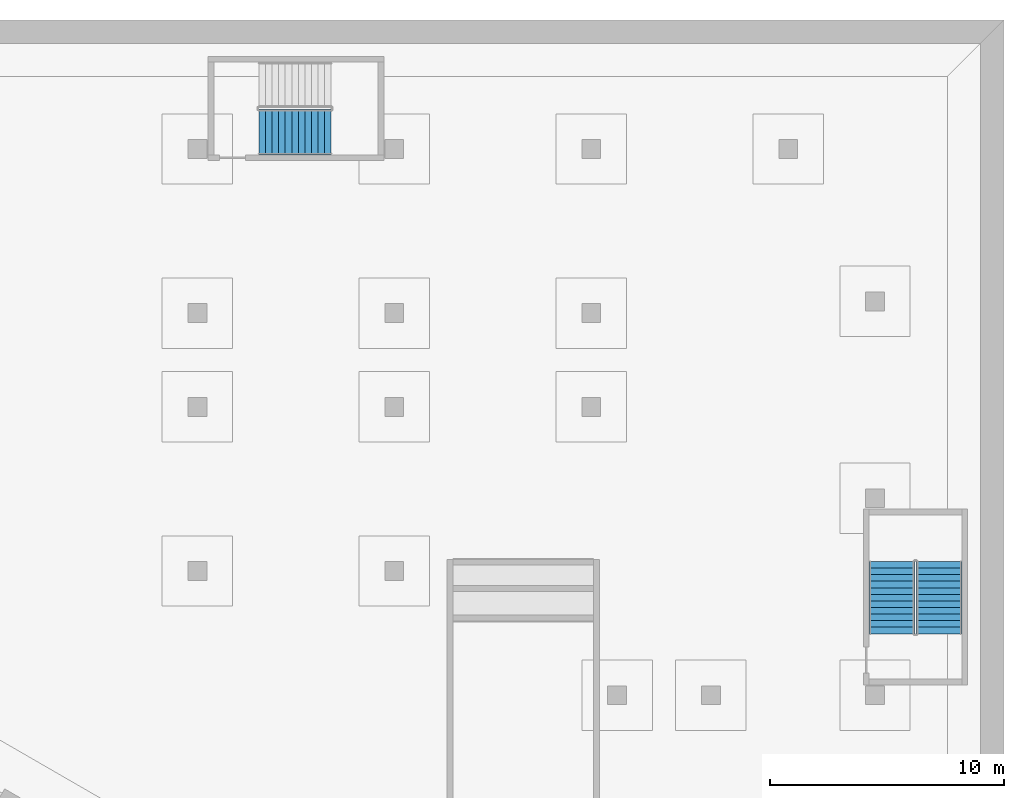
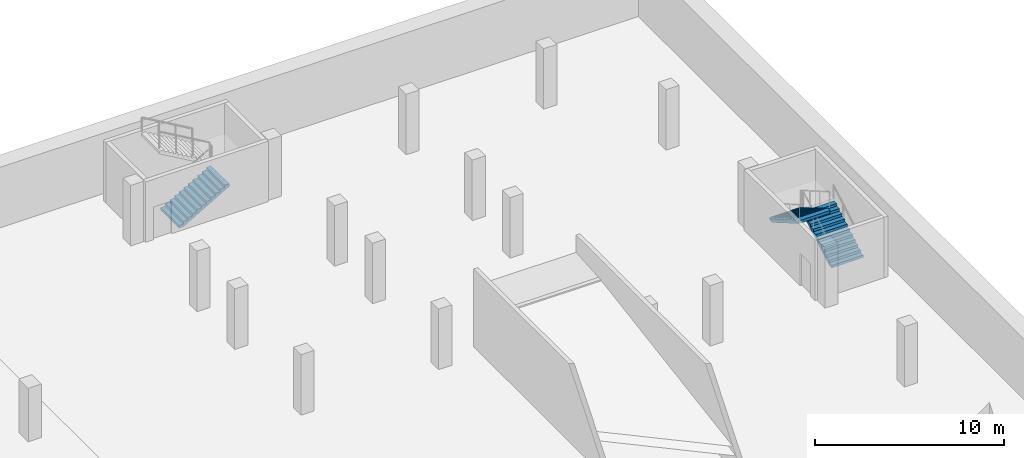
# One storey, part 18 of 27: 3 stair flights, 2 elements without a shape of their own.
"""IFC4 building model written with IfcOpenShell, lengths in metres."""

from ifc_helpers import new_model, si_unit, direction, frame, origin, place, context, subcontext, project, spatial, triangles, material, type_object, element, aggregate, save


model = new_model("IFC4")

# Units and contexts
model_context = context("Model", 3, precision=1e-05, world=origin(), true_north=direction((0.0, 1.0)))
body_context = subcontext(model_context, "Body", "Model", "MODEL_VIEW")
ifc_project = project(units=[si_unit("LENGTHUNIT", "METRE"), si_unit("AREAUNIT", "SQUARE_METRE"), si_unit("VOLUMEUNIT", "CUBIC_METRE"), si_unit("PLANEANGLEUNIT", "RADIAN"), si_unit("MASSUNIT", "GRAM", prefix="KILO")], contexts=[model_context])

# Site, building, storey
site_placement = place(None, origin())
site = spatial("IfcSite", under=ifc_project, at=site_placement, CompositionType="ELEMENT")
building_placement = place(site_placement, origin())
building = spatial("IfcBuilding", under=site, at=building_placement, Name="Verdalira Terraces Hotel", CompositionType="ELEMENT")
storey_placement = place(building_placement, frame((0.0, 0.0, -11.699951)))
storey = spatial("IfcBuildingStorey", under=building, at=storey_placement, Name="B3", CompositionType="ELEMENT", Elevation=-11.699951171875)

# Stair, stair flight
ifc_material_1 = material(Name="Concrete C40", Category="concrete")
stair_type = type_object("IfcStairType", Name="Car park stair 24 risers", PredefinedType="HALF_TURN_STAIR", material=ifc_material_1)
stair_1_placement = place(storey_placement, origin())
stair_1 = element("IfcStair", 1, at=stair_1_placement, inside=storey, type_object=stair_type, Name="B3 Exit stair Basement stair 3", PredefinedType="HALF_TURN_STAIR")
ifc_material_2 = material(Name="Concrete C40", Category="concrete")
stair_flight_type = type_object("IfcStairFlightType", Name="Car park stair flight 24 risers", PredefinedType="STRAIGHT", material=ifc_material_2)
stair_flight_1_placement = place(storey_placement, frame((22.225098, 49.212402, 0.0), z_axis=(0.0, 0.0, 1.0), x_axis=(1.0, 0.0, 0.0)))
stair_flight_1 = element("IfcStairFlight", 2, at=stair_flight_1_placement, type_object=stair_flight_type, Name="Basement stair 3 flight 1", NumberOfRisers=12, NumberOfTreads=11, PredefinedType="STRAIGHT", RiserHeight=0.1625, TreadLength=0.28, context=body_context, shape_type="Tessellation", body=[
    triangles([(0.0, 0.962524, 0.0), (0.298584, 0.962524, 0.0), (3.080078, 0.962524, 1.614258), (0.0, -0.962524, 0.0), (0.298584, -0.962524, 0.0), (3.080078, -0.962524, 1.614258), (3.080078, 0.962524, 1.787598), (2.800049, 0.962524, 1.787598), (3.080078, -0.962524, 1.787598), (2.800049, -0.962524, 1.787598), (2.800049, 0.962524, 1.625), (2.800049, -0.962524, 1.625), (2.52002, 0.962524, 1.625), (2.52002, -0.962524, 1.625), (2.52002, 0.962524, 1.462402), (2.52002, -0.962524, 1.462402), (2.23999, 0.962524, 1.462402), (2.23999, 0.962524, 1.300049), (2.23999, -0.962524, 1.462402), (2.23999, -0.962524, 1.300049), (1.959961, 0.962524, 1.300049), (1.959961, 0.962524, 1.137451), (1.959961, -0.962524, 1.300049), (1.959961, -0.962524, 1.137451), (1.679932, 0.962524, 1.137451), (1.679932, 0.962524, 0.975098), (1.679932, -0.962524, 1.137451), (1.679932, -0.962524, 0.975098), (1.399902, 0.962524, 0.975098), (1.399902, 0.962524, 0.8125), (1.399902, -0.962524, 0.975098), (1.399902, -0.962524, 0.8125), (1.120117, 0.962524, 0.8125), (1.120117, 0.962524, 0.649902), (1.120117, -0.962524, 0.8125), (1.120117, -0.962524, 0.649902), (0.840088, 0.962524, 0.649902), (0.840088, 0.962524, 0.487549), (0.840088, -0.962524, 0.649902), (0.840088, -0.962524, 0.487549), (0.560059, 0.962524, 0.487549), (0.560059, 0.962524, 0.324951), (0.560059, -0.962524, 0.487549), (0.560059, -0.962524, 0.324951), (0.280029, 0.962524, 0.324951), (0.280029, 0.962524, 0.162598), (0.280029, -0.962524, 0.324951), (0.280029, -0.962524, 0.162598), (0.0, 0.962524, 0.162598), (0.0, -0.962524, 0.162598), (0.0, -0.902367, 0.0), (0.0, -0.902367, 0.162598), (0.0, -0.842209, 0.0), (0.0, -0.842209, 0.162598), (0.0, -0.782051, 0.0), (0.0, -0.782051, 0.162598), (0.0, -0.721893, 0.0), (0.0, -0.721893, 0.162598), (0.0, -0.661736, 0.0), (0.0, -0.661736, 0.162598), (0.0, -0.601578, 0.0), (0.0, -0.601578, 0.162598), (0.0, -0.54142, 0.0), (0.0, -0.54142, 0.162598), (0.0, -0.481262, 0.0), (0.0, -0.481262, 0.162598), (0.0, -0.421104, 0.0), (0.0, -0.421104, 0.162598), (0.0, -0.360947, 0.0), (0.0, -0.360947, 0.162598), (0.0, -0.300789, 0.0), (0.0, -0.300789, 0.162598), (0.0, -0.240631, 0.0), (0.0, -0.240631, 0.162598), (0.0, -0.180473, 0.0), (0.0, -0.180473, 0.162598), (0.0, -0.120316, 0.0), (0.0, -0.120316, 0.162598), (0.0, -0.060158, 0.0), (0.0, -0.060158, 0.162598), (0.0, 0.0, 0.0), (0.0, 0.0, 0.162598), (0.0, 0.060158, 0.0), (0.0, 0.060158, 0.162598), (0.0, 0.120316, 0.0), (0.0, 0.120316, 0.162598), (0.0, 0.180473, 0.0), (0.0, 0.180473, 0.162598), (0.0, 0.240631, 0.0), (0.0, 0.240631, 0.162598), (0.0, 0.300789, 0.0), (0.0, 0.300789, 0.162598), (0.0, 0.360947, 0.0), (0.0, 0.360947, 0.162598), (0.0, 0.421104, 0.0), (0.0, 0.421104, 0.162598), (0.0, 0.481262, 0.0), (0.0, 0.481262, 0.162598), (0.0, 0.54142, 0.0), (0.0, 0.54142, 0.162598), (0.0, 0.601578, 0.0), (0.0, 0.601578, 0.162598), (0.0, 0.661736, 0.0), (0.0, 0.661736, 0.162598), (0.0, 0.721893, 0.0), (0.0, 0.721893, 0.162598), (0.0, 0.782051, 0.0), (0.0, 0.782051, 0.162598), (0.0, 0.842209, 0.0), (0.0, 0.842209, 0.162598), (0.0, 0.902367, 0.0), (0.0, 0.902367, 0.162598), (3.080078, -0.902367, 1.787598), (3.080078, -0.842209, 1.787598), (3.080078, -0.782051, 1.787598), (3.080078, -0.721893, 1.787598), (3.080078, -0.661736, 1.787598), (3.080078, -0.601578, 1.787598), (3.080078, -0.54142, 1.787598), (3.080078, -0.481262, 1.787598), (3.080078, -0.421104, 1.787598), (3.080078, -0.360947, 1.787598), (3.080078, -0.300789, 1.787598), (3.080078, -0.240631, 1.787598), (3.080078, -0.180473, 1.787598), (3.080078, -0.120316, 1.787598), (3.080078, -0.060158, 1.787598), (3.080078, 0.0, 1.787598), (3.080078, 0.060158, 1.787598), (3.080078, 0.120316, 1.787598), (3.080078, 0.180473, 1.787598), (3.080078, 0.240631, 1.787598), (3.080078, 0.300789, 1.787598), (3.080078, 0.360947, 1.787598), (3.080078, 0.421104, 1.787598), (3.080078, 0.481262, 1.787598), (3.080078, 0.54142, 1.787598), (3.080078, 0.601578, 1.787598), (3.080078, 0.661736, 1.787598), (3.080078, 0.721893, 1.787598), (3.080078, 0.782051, 1.787598), (3.080078, 0.842209, 1.787598), (3.080078, 0.902367, 1.787598), (3.080078, -0.902367, 1.614258), (3.080078, -0.842209, 1.614258), (3.080078, -0.782051, 1.614258), (3.080078, -0.721893, 1.614258), (3.080078, -0.661736, 1.614258), (3.080078, -0.601578, 1.614258), (3.080078, -0.54142, 1.614258), (3.080078, -0.481262, 1.614258), (3.080078, -0.421104, 1.614258), (3.080078, -0.360947, 1.614258), (3.080078, -0.300789, 1.614258), (3.080078, -0.240631, 1.614258), (3.080078, -0.180473, 1.614258), (3.080078, -0.120316, 1.614258), (3.080078, -0.060158, 1.614258), (3.080078, 0.0, 1.614258), (3.080078, 0.060158, 1.614258), (3.080078, 0.120316, 1.614258), (3.080078, 0.180473, 1.614258), (3.080078, 0.240631, 1.614258), (3.080078, 0.300789, 1.614258), (3.080078, 0.360947, 1.614258), (3.080078, 0.421104, 1.614258), (3.080078, 0.481262, 1.614258), (3.080078, 0.54142, 1.614258), (3.080078, 0.601578, 1.614258), (3.080078, 0.661736, 1.614258), (3.080078, 0.721893, 1.614258), (3.080078, 0.782051, 1.614258), (3.080078, 0.842209, 1.614258), (3.080078, 0.902367, 1.614258)], [[1, 3, 2], [4, 5, 6], [3, 8, 7], [6, 9, 10], [3, 11, 8], [6, 10, 12], [3, 13, 11], [6, 12, 14], [3, 15, 13], [6, 14, 16], [15, 18, 17], [16, 19, 20], [3, 18, 15], [6, 16, 20], [18, 22, 21], [20, 23, 24], [3, 22, 18], [6, 20, 24], [22, 26, 25], [24, 27, 28], [3, 26, 22], [6, 24, 28], [26, 30, 29], [28, 31, 32], [3, 30, 26], [6, 28, 32], [30, 34, 33], [32, 35, 36], [3, 34, 30], [6, 32, 36], [34, 38, 37], [36, 39, 40], [3, 38, 34], [6, 36, 40], [38, 42, 41], [40, 43, 44], [3, 42, 38], [6, 40, 44], [1, 42, 3], [4, 6, 44], [42, 46, 45], [44, 47, 48], [1, 46, 42], [4, 44, 48], [46, 1, 49], [48, 50, 4], [4, 52, 51], [4, 50, 52], [51, 54, 53], [51, 52, 54], [53, 56, 55], [53, 54, 56], [55, 58, 57], [55, 56, 58], [57, 60, 59], [57, 58, 60], [59, 62, 61], [59, 60, 62], [61, 64, 63], [61, 62, 64], [63, 66, 65], [63, 64, 66], [65, 68, 67], [65, 66, 68], [67, 70, 69], [67, 68, 70], [69, 72, 71], [69, 70, 72], [71, 74, 73], [71, 72, 74], [73, 76, 75], [73, 74, 76], [75, 78, 77], [75, 76, 78], [77, 80, 79], [77, 78, 80], [79, 82, 81], [79, 80, 82], [81, 84, 83], [81, 82, 84], [83, 86, 85], [83, 84, 86], [85, 88, 87], [85, 86, 88], [87, 90, 89], [87, 88, 90], [89, 92, 91], [89, 90, 92], [91, 94, 93], [91, 92, 94], [93, 96, 95], [93, 94, 96], [95, 98, 97], [95, 96, 98], [97, 100, 99], [97, 98, 100], [99, 102, 101], [99, 100, 102], [101, 104, 103], [101, 102, 104], [103, 106, 105], [103, 104, 106], [105, 108, 107], [105, 106, 108], [107, 110, 109], [107, 108, 110], [109, 112, 111], [109, 110, 112], [111, 49, 1], [111, 112, 49], [50, 48, 52], [52, 48, 54], [54, 48, 56], [56, 48, 58], [58, 48, 60], [60, 48, 62], [62, 48, 64], [64, 48, 66], [66, 48, 68], [68, 48, 70], [70, 48, 72], [72, 48, 74], [74, 48, 76], [76, 48, 78], [78, 48, 80], [80, 48, 82], [82, 48, 84], [84, 48, 86], [86, 48, 88], [88, 48, 90], [90, 48, 92], [92, 48, 94], [94, 48, 96], [96, 48, 98], [98, 48, 100], [100, 48, 102], [102, 48, 104], [104, 48, 106], [106, 48, 108], [108, 48, 110], [110, 48, 112], [112, 48, 49], [49, 48, 46], [48, 45, 46], [48, 47, 45], [47, 42, 45], [47, 44, 42], [44, 41, 42], [44, 43, 41], [43, 38, 41], [43, 40, 38], [40, 37, 38], [40, 39, 37], [39, 34, 37], [39, 36, 34], [36, 33, 34], [36, 35, 33], [35, 30, 33], [35, 32, 30], [32, 29, 30], [32, 31, 29], [31, 26, 29], [31, 28, 26], [28, 25, 26], [28, 27, 25], [27, 22, 25], [27, 24, 22], [24, 21, 22], [24, 23, 21], [23, 18, 21], [23, 20, 18], [20, 17, 18], [20, 19, 17], [19, 15, 17], [19, 16, 15], [16, 13, 15], [16, 14, 13], [14, 11, 13], [14, 12, 11], [12, 8, 11], [12, 10, 8], [9, 113, 10], [113, 114, 10], [114, 115, 10], [115, 116, 10], [116, 117, 10], [117, 118, 10], [118, 119, 10], [119, 120, 10], [120, 121, 10], [121, 122, 10], [122, 123, 10], [123, 124, 10], [124, 125, 10], [125, 126, 10], [126, 127, 10], [127, 128, 10], [128, 129, 10], [129, 130, 10], [130, 131, 10], [131, 132, 10], [132, 133, 10], [133, 134, 10], [134, 135, 10], [135, 136, 10], [136, 137, 10], [137, 138, 10], [138, 139, 10], [139, 140, 10], [140, 141, 10], [141, 142, 10], [142, 143, 10], [143, 7, 10], [7, 8, 10], [9, 144, 113], [9, 6, 144], [113, 145, 114], [113, 144, 145], [114, 146, 115], [114, 145, 146], [115, 147, 116], [115, 146, 147], [116, 148, 117], [116, 147, 148], [117, 149, 118], [117, 148, 149], [118, 150, 119], [118, 149, 150], [119, 151, 120], [119, 150, 151], [120, 152, 121], [120, 151, 152], [121, 153, 122], [121, 152, 153], [122, 154, 123], [122, 153, 154], [123, 155, 124], [123, 154, 155], [124, 156, 125], [124, 155, 156], [125, 157, 126], [125, 156, 157], [126, 158, 127], [126, 157, 158], [127, 159, 128], [127, 158, 159], [128, 160, 129], [128, 159, 160], [129, 161, 130], [129, 160, 161], [130, 162, 131], [130, 161, 162], [131, 163, 132], [131, 162, 163], [132, 164, 133], [132, 163, 164], [133, 165, 134], [133, 164, 165], [134, 166, 135], [134, 165, 166], [135, 167, 136], [135, 166, 167], [136, 168, 137], [136, 167, 168], [137, 169, 138], [137, 168, 169], [138, 170, 139], [138, 169, 170], [139, 171, 140], [139, 170, 171], [140, 172, 141], [140, 171, 172], [141, 173, 142], [141, 172, 173], [142, 174, 143], [142, 173, 174], [143, 3, 7], [143, 174, 3], [6, 5, 144], [144, 5, 145], [145, 5, 146], [146, 5, 147], [147, 5, 148], [148, 5, 149], [149, 5, 150], [150, 5, 151], [151, 5, 152], [152, 5, 153], [153, 5, 154], [154, 5, 155], [155, 5, 156], [156, 5, 157], [157, 5, 158], [158, 5, 159], [159, 5, 160], [160, 5, 161], [161, 5, 162], [162, 5, 163], [163, 5, 164], [164, 5, 165], [165, 5, 166], [166, 5, 167], [167, 5, 168], [168, 5, 169], [169, 5, 170], [170, 5, 171], [171, 5, 172], [172, 5, 173], [173, 5, 174], [174, 5, 3], [3, 5, 2], [4, 51, 5], [51, 53, 5], [53, 55, 5], [55, 57, 5], [57, 59, 5], [59, 61, 5], [61, 63, 5], [63, 65, 5], [65, 67, 5], [67, 69, 5], [69, 71, 5], [71, 73, 5], [73, 75, 5], [75, 77, 5], [77, 79, 5], [79, 81, 5], [81, 83, 5], [83, 85, 5], [85, 87, 5], [87, 89, 5], [89, 91, 5], [91, 93, 5], [93, 95, 5], [95, 97, 5], [97, 99, 5], [99, 101, 5], [101, 103, 5], [103, 105, 5], [105, 107, 5], [107, 109, 5], [109, 111, 5], [111, 1, 5], [1, 2, 5]], closed=True),
])
aggregate(stair_1, [stair_flight_1])

# Stair, stair flights
stair_2_placement = place(storey_placement, origin())
stair_2 = element("IfcStair", 3, at=stair_2_placement, inside=storey, type_object=stair_type, Name="B3 Exit stair Basement stair 5", PredefinedType="HALF_TURN_STAIR")
stair_flight_2_placement = place(storey_placement, frame((51.237549, 27.824951, 0.0), z_axis=(0.0, 0.0, 1.0), x_axis=(0.0, 1.0, 0.0)))
stair_flight_2 = element("IfcStairFlight", 4, at=stair_flight_2_placement, type_object=stair_flight_type, Name="Basement stair 5 flight 1", NumberOfRisers=12, NumberOfTreads=11, PredefinedType="STRAIGHT", RiserHeight=0.1625, TreadLength=0.28, context=body_context, shape_type="Tessellation", body=[
    triangles([(0.0, 0.962524, 0.0), (0.298584, 0.962524, 0.0), (3.080078, 0.962524, 1.614258), (0.0, -0.962524, 0.0), (0.298584, -0.962524, 0.0), (3.080078, -0.962524, 1.614258), (3.080078, 0.962524, 1.787598), (2.800049, 0.962524, 1.787598), (3.080078, -0.962524, 1.787598), (2.800049, -0.962524, 1.787598), (2.800049, 0.962524, 1.625), (2.800049, -0.962524, 1.625), (2.52002, 0.962524, 1.625), (2.52002, -0.962524, 1.625), (2.52002, 0.962524, 1.462402), (2.52002, -0.962524, 1.462402), (2.23999, 0.962524, 1.462402), (2.23999, 0.962524, 1.300049), (2.23999, -0.962524, 1.462402), (2.23999, -0.962524, 1.300049), (1.959961, 0.962524, 1.300049), (1.959961, 0.962524, 1.137451), (1.959961, -0.962524, 1.300049), (1.959961, -0.962524, 1.137451), (1.679932, 0.962524, 1.137451), (1.679932, 0.962524, 0.975098), (1.679932, -0.962524, 1.137451), (1.679932, -0.962524, 0.975098), (1.399902, 0.962524, 0.975098), (1.399902, 0.962524, 0.8125), (1.399902, -0.962524, 0.975098), (1.399902, -0.962524, 0.8125), (1.120117, 0.962524, 0.8125), (1.120117, 0.962524, 0.649902), (1.120117, -0.962524, 0.8125), (1.120117, -0.962524, 0.649902), (0.840088, 0.962524, 0.649902), (0.840088, 0.962524, 0.487549), (0.840088, -0.962524, 0.649902), (0.840088, -0.962524, 0.487549), (0.560059, 0.962524, 0.487549), (0.560059, 0.962524, 0.324951), (0.560059, -0.962524, 0.487549), (0.560059, -0.962524, 0.324951), (0.280029, 0.962524, 0.324951), (0.280029, 0.962524, 0.162598), (0.280029, -0.962524, 0.324951), (0.280029, -0.962524, 0.162598), (0.0, 0.962524, 0.162598), (0.0, -0.962524, 0.162598), (0.0, -0.902367, 0.0), (0.0, -0.902367, 0.162598), (0.0, -0.842209, 0.0), (0.0, -0.842209, 0.162598), (0.0, -0.782051, 0.0), (0.0, -0.782051, 0.162598), (0.0, -0.721893, 0.0), (0.0, -0.721893, 0.162598), (0.0, -0.661736, 0.0), (0.0, -0.661736, 0.162598), (0.0, -0.601578, 0.0), (0.0, -0.601578, 0.162598), (0.0, -0.54142, 0.0), (0.0, -0.54142, 0.162598), (0.0, -0.481262, 0.0), (0.0, -0.481262, 0.162598), (0.0, -0.421104, 0.0), (0.0, -0.421104, 0.162598), (0.0, -0.360947, 0.0), (0.0, -0.360947, 0.162598), (0.0, -0.300789, 0.0), (0.0, -0.300789, 0.162598), (0.0, -0.240631, 0.0), (0.0, -0.240631, 0.162598), (0.0, -0.180473, 0.0), (0.0, -0.180473, 0.162598), (0.0, -0.120316, 0.0), (0.0, -0.120316, 0.162598), (0.0, -0.060158, 0.0), (0.0, -0.060158, 0.162598), (0.0, 0.0, 0.0), (0.0, 0.0, 0.162598), (0.0, 0.060158, 0.0), (0.0, 0.060158, 0.162598), (0.0, 0.120316, 0.0), (0.0, 0.120316, 0.162598), (0.0, 0.180473, 0.0), (0.0, 0.180473, 0.162598), (0.0, 0.240631, 0.0), (0.0, 0.240631, 0.162598), (0.0, 0.300789, 0.0), (0.0, 0.300789, 0.162598), (0.0, 0.360947, 0.0), (0.0, 0.360947, 0.162598), (0.0, 0.421104, 0.0), (0.0, 0.421104, 0.162598), (0.0, 0.481262, 0.0), (0.0, 0.481262, 0.162598), (0.0, 0.54142, 0.0), (0.0, 0.54142, 0.162598), (0.0, 0.601578, 0.0), (0.0, 0.601578, 0.162598), (0.0, 0.661736, 0.0), (0.0, 0.661736, 0.162598), (0.0, 0.721893, 0.0), (0.0, 0.721893, 0.162598), (0.0, 0.782051, 0.0), (0.0, 0.782051, 0.162598), (0.0, 0.842209, 0.0), (0.0, 0.842209, 0.162598), (0.0, 0.902367, 0.0), (0.0, 0.902367, 0.162598), (3.080078, -0.902367, 1.787598), (3.080078, -0.842209, 1.787598), (3.080078, -0.782051, 1.787598), (3.080078, -0.721893, 1.787598), (3.080078, -0.661736, 1.787598), (3.080078, -0.601578, 1.787598), (3.080078, -0.54142, 1.787598), (3.080078, -0.481262, 1.787598), (3.080078, -0.421104, 1.787598), (3.080078, -0.360947, 1.787598), (3.080078, -0.300789, 1.787598), (3.080078, -0.240631, 1.787598), (3.080078, -0.180473, 1.787598), (3.080078, -0.120316, 1.787598), (3.080078, -0.060158, 1.787598), (3.080078, 0.0, 1.787598), (3.080078, 0.060158, 1.787598), (3.080078, 0.120316, 1.787598), (3.080078, 0.180473, 1.787598), (3.080078, 0.240631, 1.787598), (3.080078, 0.300789, 1.787598), (3.080078, 0.360947, 1.787598), (3.080078, 0.421104, 1.787598), (3.080078, 0.481262, 1.787598), (3.080078, 0.54142, 1.787598), (3.080078, 0.601578, 1.787598), (3.080078, 0.661736, 1.787598), (3.080078, 0.721893, 1.787598), (3.080078, 0.782051, 1.787598), (3.080078, 0.842209, 1.787598), (3.080078, 0.902367, 1.787598), (3.080078, -0.902367, 1.614258), (3.080078, -0.842209, 1.614258), (3.080078, -0.782051, 1.614258), (3.080078, -0.721893, 1.614258), (3.080078, -0.661736, 1.614258), (3.080078, -0.601578, 1.614258), (3.080078, -0.54142, 1.614258), (3.080078, -0.481262, 1.614258), (3.080078, -0.421104, 1.614258), (3.080078, -0.360947, 1.614258), (3.080078, -0.300789, 1.614258), (3.080078, -0.240631, 1.614258), (3.080078, -0.180473, 1.614258), (3.080078, -0.120316, 1.614258), (3.080078, -0.060158, 1.614258), (3.080078, 0.0, 1.614258), (3.080078, 0.060158, 1.614258), (3.080078, 0.120316, 1.614258), (3.080078, 0.180473, 1.614258), (3.080078, 0.240631, 1.614258), (3.080078, 0.300789, 1.614258), (3.080078, 0.360947, 1.614258), (3.080078, 0.421104, 1.614258), (3.080078, 0.481262, 1.614258), (3.080078, 0.54142, 1.614258), (3.080078, 0.601578, 1.614258), (3.080078, 0.661736, 1.614258), (3.080078, 0.721893, 1.614258), (3.080078, 0.782051, 1.614258), (3.080078, 0.842209, 1.614258), (3.080078, 0.902367, 1.614258)], [[1, 3, 2], [4, 5, 6], [3, 8, 7], [6, 9, 10], [3, 11, 8], [6, 10, 12], [3, 13, 11], [6, 12, 14], [3, 15, 13], [6, 14, 16], [15, 18, 17], [16, 19, 20], [3, 18, 15], [6, 16, 20], [18, 22, 21], [20, 23, 24], [3, 22, 18], [6, 20, 24], [22, 26, 25], [24, 27, 28], [3, 26, 22], [6, 24, 28], [26, 30, 29], [28, 31, 32], [3, 30, 26], [6, 28, 32], [30, 34, 33], [32, 35, 36], [3, 34, 30], [6, 32, 36], [34, 38, 37], [36, 39, 40], [3, 38, 34], [6, 36, 40], [38, 42, 41], [40, 43, 44], [3, 42, 38], [6, 40, 44], [1, 42, 3], [4, 6, 44], [42, 46, 45], [44, 47, 48], [1, 46, 42], [4, 44, 48], [46, 1, 49], [48, 50, 4], [4, 52, 51], [4, 50, 52], [51, 54, 53], [51, 52, 54], [53, 56, 55], [53, 54, 56], [55, 58, 57], [55, 56, 58], [57, 60, 59], [57, 58, 60], [59, 62, 61], [59, 60, 62], [61, 64, 63], [61, 62, 64], [63, 66, 65], [63, 64, 66], [65, 68, 67], [65, 66, 68], [67, 70, 69], [67, 68, 70], [69, 72, 71], [69, 70, 72], [71, 74, 73], [71, 72, 74], [73, 76, 75], [73, 74, 76], [75, 78, 77], [75, 76, 78], [77, 80, 79], [77, 78, 80], [79, 82, 81], [79, 80, 82], [81, 84, 83], [81, 82, 84], [83, 86, 85], [83, 84, 86], [85, 88, 87], [85, 86, 88], [87, 90, 89], [87, 88, 90], [89, 92, 91], [89, 90, 92], [91, 94, 93], [91, 92, 94], [93, 96, 95], [93, 94, 96], [95, 98, 97], [95, 96, 98], [97, 100, 99], [97, 98, 100], [99, 102, 101], [99, 100, 102], [101, 104, 103], [101, 102, 104], [103, 106, 105], [103, 104, 106], [105, 108, 107], [105, 106, 108], [107, 110, 109], [107, 108, 110], [109, 112, 111], [109, 110, 112], [111, 49, 1], [111, 112, 49], [50, 48, 52], [52, 48, 54], [54, 48, 56], [56, 48, 58], [58, 48, 60], [60, 48, 62], [62, 48, 64], [64, 48, 66], [66, 48, 68], [68, 48, 70], [70, 48, 72], [72, 48, 74], [74, 48, 76], [76, 48, 78], [78, 48, 80], [80, 48, 82], [82, 48, 84], [84, 48, 86], [86, 48, 88], [88, 48, 90], [90, 48, 92], [92, 48, 94], [94, 48, 96], [96, 48, 98], [98, 48, 100], [100, 48, 102], [102, 48, 104], [104, 48, 106], [106, 48, 108], [108, 48, 110], [110, 48, 112], [112, 48, 49], [49, 48, 46], [48, 45, 46], [48, 47, 45], [47, 42, 45], [47, 44, 42], [44, 41, 42], [44, 43, 41], [43, 38, 41], [43, 40, 38], [40, 37, 38], [40, 39, 37], [39, 34, 37], [39, 36, 34], [36, 33, 34], [36, 35, 33], [35, 30, 33], [35, 32, 30], [32, 29, 30], [32, 31, 29], [31, 26, 29], [31, 28, 26], [28, 25, 26], [28, 27, 25], [27, 22, 25], [27, 24, 22], [24, 21, 22], [24, 23, 21], [23, 18, 21], [23, 20, 18], [20, 17, 18], [20, 19, 17], [19, 15, 17], [19, 16, 15], [16, 13, 15], [16, 14, 13], [14, 11, 13], [14, 12, 11], [12, 8, 11], [12, 10, 8], [9, 113, 10], [113, 114, 10], [114, 115, 10], [115, 116, 10], [116, 117, 10], [117, 118, 10], [118, 119, 10], [119, 120, 10], [120, 121, 10], [121, 122, 10], [122, 123, 10], [123, 124, 10], [124, 125, 10], [125, 126, 10], [126, 127, 10], [127, 128, 10], [128, 129, 10], [129, 130, 10], [130, 131, 10], [131, 132, 10], [132, 133, 10], [133, 134, 10], [134, 135, 10], [135, 136, 10], [136, 137, 10], [137, 138, 10], [138, 139, 10], [139, 140, 10], [140, 141, 10], [141, 142, 10], [142, 143, 10], [143, 7, 10], [7, 8, 10], [9, 144, 113], [9, 6, 144], [113, 145, 114], [113, 144, 145], [114, 146, 115], [114, 145, 146], [115, 147, 116], [115, 146, 147], [116, 148, 117], [116, 147, 148], [117, 149, 118], [117, 148, 149], [118, 150, 119], [118, 149, 150], [119, 151, 120], [119, 150, 151], [120, 152, 121], [120, 151, 152], [121, 153, 122], [121, 152, 153], [122, 154, 123], [122, 153, 154], [123, 155, 124], [123, 154, 155], [124, 156, 125], [124, 155, 156], [125, 157, 126], [125, 156, 157], [126, 158, 127], [126, 157, 158], [127, 159, 128], [127, 158, 159], [128, 160, 129], [128, 159, 160], [129, 161, 130], [129, 160, 161], [130, 162, 131], [130, 161, 162], [131, 163, 132], [131, 162, 163], [132, 164, 133], [132, 163, 164], [133, 165, 134], [133, 164, 165], [134, 166, 135], [134, 165, 166], [135, 167, 136], [135, 166, 167], [136, 168, 137], [136, 167, 168], [137, 169, 138], [137, 168, 169], [138, 170, 139], [138, 169, 170], [139, 171, 140], [139, 170, 171], [140, 172, 141], [140, 171, 172], [141, 173, 142], [141, 172, 173], [142, 174, 143], [142, 173, 174], [143, 3, 7], [143, 174, 3], [6, 5, 144], [144, 5, 145], [145, 5, 146], [146, 5, 147], [147, 5, 148], [148, 5, 149], [149, 5, 150], [150, 5, 151], [151, 5, 152], [152, 5, 153], [153, 5, 154], [154, 5, 155], [155, 5, 156], [156, 5, 157], [157, 5, 158], [158, 5, 159], [159, 5, 160], [160, 5, 161], [161, 5, 162], [162, 5, 163], [163, 5, 164], [164, 5, 165], [165, 5, 166], [166, 5, 167], [167, 5, 168], [168, 5, 169], [169, 5, 170], [170, 5, 171], [171, 5, 172], [172, 5, 173], [173, 5, 174], [174, 5, 3], [3, 5, 2], [4, 51, 5], [51, 53, 5], [53, 55, 5], [55, 57, 5], [57, 59, 5], [59, 61, 5], [61, 63, 5], [63, 65, 5], [65, 67, 5], [67, 69, 5], [69, 71, 5], [71, 73, 5], [73, 75, 5], [75, 77, 5], [77, 79, 5], [79, 81, 5], [81, 83, 5], [83, 85, 5], [85, 87, 5], [87, 89, 5], [89, 91, 5], [91, 93, 5], [93, 95, 5], [95, 97, 5], [97, 99, 5], [99, 101, 5], [101, 103, 5], [103, 105, 5], [105, 107, 5], [107, 109, 5], [109, 111, 5], [111, 1, 5], [1, 2, 5]], closed=True),
])
stair_flight_3_placement = place(storey_placement, frame((49.212402, 30.905029, 1.949951), z_axis=(0.0, 0.0, 1.0), x_axis=(0.0, -1.0, 0.0)))
stair_flight_3 = element("IfcStairFlight", 5, at=stair_flight_3_placement, type_object=stair_flight_type, Name="Basement stair 5 flight 2", NumberOfRisers=12, NumberOfTreads=11, PredefinedType="STRAIGHT", RiserHeight=0.1625, TreadLength=0.28, context=body_context, shape_type="Tessellation", body=[
    triangles([(0.0, 0.962524, 0.0), (0.298584, 0.962524, 0.0), (3.080078, 0.962524, 1.614258), (0.0, -0.962524, 0.0), (0.298584, -0.962524, 0.0), (3.080078, -0.962524, 1.614258), (3.080078, 0.962524, 1.787598), (2.800049, 0.962524, 1.787598), (3.080078, -0.962524, 1.787598), (2.800049, -0.962524, 1.787598), (2.800049, 0.962524, 1.625), (2.800049, -0.962524, 1.625), (2.52002, 0.962524, 1.625), (2.52002, -0.962524, 1.625), (2.52002, 0.962524, 1.462402), (2.52002, -0.962524, 1.462402), (2.23999, 0.962524, 1.462402), (2.23999, 0.962524, 1.300049), (2.23999, -0.962524, 1.462402), (2.23999, -0.962524, 1.300049), (1.959961, 0.962524, 1.300049), (1.959961, 0.962524, 1.137451), (1.959961, -0.962524, 1.300049), (1.959961, -0.962524, 1.137451), (1.679932, 0.962524, 1.137451), (1.679932, 0.962524, 0.975098), (1.679932, -0.962524, 1.137451), (1.679932, -0.962524, 0.975098), (1.399902, 0.962524, 0.975098), (1.399902, 0.962524, 0.8125), (1.399902, -0.962524, 0.975098), (1.399902, -0.962524, 0.8125), (1.120117, 0.962524, 0.8125), (1.120117, 0.962524, 0.649902), (1.120117, -0.962524, 0.8125), (1.120117, -0.962524, 0.649902), (0.840088, 0.962524, 0.649902), (0.840088, 0.962524, 0.487549), (0.840088, -0.962524, 0.649902), (0.840088, -0.962524, 0.487549), (0.560059, 0.962524, 0.487549), (0.560059, 0.962524, 0.324951), (0.560059, -0.962524, 0.487549), (0.560059, -0.962524, 0.324951), (0.280029, 0.962524, 0.324951), (0.280029, 0.962524, 0.162598), (0.280029, -0.962524, 0.324951), (0.280029, -0.962524, 0.162598), (0.0, 0.962524, 0.162598), (0.0, -0.962524, 0.162598), (0.0, -0.902367, 0.0), (0.0, -0.902367, 0.162598), (0.0, -0.842209, 0.0), (0.0, -0.842209, 0.162598), (0.0, -0.782051, 0.0), (0.0, -0.782051, 0.162598), (0.0, -0.721893, 0.0), (0.0, -0.721893, 0.162598), (0.0, -0.661736, 0.0), (0.0, -0.661736, 0.162598), (0.0, -0.601578, 0.0), (0.0, -0.601578, 0.162598), (0.0, -0.54142, 0.0), (0.0, -0.54142, 0.162598), (0.0, -0.481262, 0.0), (0.0, -0.481262, 0.162598), (0.0, -0.421104, 0.0), (0.0, -0.421104, 0.162598), (0.0, -0.360947, 0.0), (0.0, -0.360947, 0.162598), (0.0, -0.300789, 0.0), (0.0, -0.300789, 0.162598), (0.0, -0.240631, 0.0), (0.0, -0.240631, 0.162598), (0.0, -0.180473, 0.0), (0.0, -0.180473, 0.162598), (0.0, -0.120316, 0.0), (0.0, -0.120316, 0.162598), (0.0, -0.060158, 0.0), (0.0, -0.060158, 0.162598), (0.0, 0.0, 0.0), (0.0, 0.0, 0.162598), (0.0, 0.060158, 0.0), (0.0, 0.060158, 0.162598), (0.0, 0.120316, 0.0), (0.0, 0.120316, 0.162598), (0.0, 0.180473, 0.0), (0.0, 0.180473, 0.162598), (0.0, 0.240631, 0.0), (0.0, 0.240631, 0.162598), (0.0, 0.300789, 0.0), (0.0, 0.300789, 0.162598), (0.0, 0.360947, 0.0), (0.0, 0.360947, 0.162598), (0.0, 0.421104, 0.0), (0.0, 0.421104, 0.162598), (0.0, 0.481262, 0.0), (0.0, 0.481262, 0.162598), (0.0, 0.54142, 0.0), (0.0, 0.54142, 0.162598), (0.0, 0.601578, 0.0), (0.0, 0.601578, 0.162598), (0.0, 0.661736, 0.0), (0.0, 0.661736, 0.162598), (0.0, 0.721893, 0.0), (0.0, 0.721893, 0.162598), (0.0, 0.782051, 0.0), (0.0, 0.782051, 0.162598), (0.0, 0.842209, 0.0), (0.0, 0.842209, 0.162598), (0.0, 0.902367, 0.0), (0.0, 0.902367, 0.162598), (3.080078, -0.902367, 1.787598), (3.080078, -0.842209, 1.787598), (3.080078, -0.782051, 1.787598), (3.080078, -0.721893, 1.787598), (3.080078, -0.661736, 1.787598), (3.080078, -0.601578, 1.787598), (3.080078, -0.54142, 1.787598), (3.080078, -0.481262, 1.787598), (3.080078, -0.421104, 1.787598), (3.080078, -0.360947, 1.787598), (3.080078, -0.300789, 1.787598), (3.080078, -0.240631, 1.787598), (3.080078, -0.180473, 1.787598), (3.080078, -0.120316, 1.787598), (3.080078, -0.060158, 1.787598), (3.080078, 0.0, 1.787598), (3.080078, 0.060158, 1.787598), (3.080078, 0.120316, 1.787598), (3.080078, 0.180473, 1.787598), (3.080078, 0.240631, 1.787598), (3.080078, 0.300789, 1.787598), (3.080078, 0.360947, 1.787598), (3.080078, 0.421104, 1.787598), (3.080078, 0.481262, 1.787598), (3.080078, 0.54142, 1.787598), (3.080078, 0.601578, 1.787598), (3.080078, 0.661736, 1.787598), (3.080078, 0.721893, 1.787598), (3.080078, 0.782051, 1.787598), (3.080078, 0.842209, 1.787598), (3.080078, 0.902367, 1.787598), (3.080078, -0.902367, 1.614258), (3.080078, -0.842209, 1.614258), (3.080078, -0.782051, 1.614258), (3.080078, -0.721893, 1.614258), (3.080078, -0.661736, 1.614258), (3.080078, -0.601578, 1.614258), (3.080078, -0.54142, 1.614258), (3.080078, -0.481262, 1.614258), (3.080078, -0.421104, 1.614258), (3.080078, -0.360947, 1.614258), (3.080078, -0.300789, 1.614258), (3.080078, -0.240631, 1.614258), (3.080078, -0.180473, 1.614258), (3.080078, -0.120316, 1.614258), (3.080078, -0.060158, 1.614258), (3.080078, 0.0, 1.614258), (3.080078, 0.060158, 1.614258), (3.080078, 0.120316, 1.614258), (3.080078, 0.180473, 1.614258), (3.080078, 0.240631, 1.614258), (3.080078, 0.300789, 1.614258), (3.080078, 0.360947, 1.614258), (3.080078, 0.421104, 1.614258), (3.080078, 0.481262, 1.614258), (3.080078, 0.54142, 1.614258), (3.080078, 0.601578, 1.614258), (3.080078, 0.661736, 1.614258), (3.080078, 0.721893, 1.614258), (3.080078, 0.782051, 1.614258), (3.080078, 0.842209, 1.614258), (3.080078, 0.902367, 1.614258)], [[1, 3, 2], [4, 5, 6], [3, 8, 7], [6, 9, 10], [3, 11, 8], [6, 10, 12], [3, 13, 11], [6, 12, 14], [3, 15, 13], [6, 14, 16], [15, 18, 17], [16, 19, 20], [3, 18, 15], [6, 16, 20], [18, 22, 21], [20, 23, 24], [3, 22, 18], [6, 20, 24], [22, 26, 25], [24, 27, 28], [3, 26, 22], [6, 24, 28], [26, 30, 29], [28, 31, 32], [3, 30, 26], [6, 28, 32], [30, 34, 33], [32, 35, 36], [3, 34, 30], [6, 32, 36], [34, 38, 37], [36, 39, 40], [3, 38, 34], [6, 36, 40], [38, 42, 41], [40, 43, 44], [3, 42, 38], [6, 40, 44], [1, 42, 3], [4, 6, 44], [42, 46, 45], [44, 47, 48], [1, 46, 42], [4, 44, 48], [46, 1, 49], [48, 50, 4], [4, 52, 51], [4, 50, 52], [51, 54, 53], [51, 52, 54], [53, 56, 55], [53, 54, 56], [55, 58, 57], [55, 56, 58], [57, 60, 59], [57, 58, 60], [59, 62, 61], [59, 60, 62], [61, 64, 63], [61, 62, 64], [63, 66, 65], [63, 64, 66], [65, 68, 67], [65, 66, 68], [67, 70, 69], [67, 68, 70], [69, 72, 71], [69, 70, 72], [71, 74, 73], [71, 72, 74], [73, 76, 75], [73, 74, 76], [75, 78, 77], [75, 76, 78], [77, 80, 79], [77, 78, 80], [79, 82, 81], [79, 80, 82], [81, 84, 83], [81, 82, 84], [83, 86, 85], [83, 84, 86], [85, 88, 87], [85, 86, 88], [87, 90, 89], [87, 88, 90], [89, 92, 91], [89, 90, 92], [91, 94, 93], [91, 92, 94], [93, 96, 95], [93, 94, 96], [95, 98, 97], [95, 96, 98], [97, 100, 99], [97, 98, 100], [99, 102, 101], [99, 100, 102], [101, 104, 103], [101, 102, 104], [103, 106, 105], [103, 104, 106], [105, 108, 107], [105, 106, 108], [107, 110, 109], [107, 108, 110], [109, 112, 111], [109, 110, 112], [111, 49, 1], [111, 112, 49], [50, 48, 52], [52, 48, 54], [54, 48, 56], [56, 48, 58], [58, 48, 60], [60, 48, 62], [62, 48, 64], [64, 48, 66], [66, 48, 68], [68, 48, 70], [70, 48, 72], [72, 48, 74], [74, 48, 76], [76, 48, 78], [78, 48, 80], [80, 48, 82], [82, 48, 84], [84, 48, 86], [86, 48, 88], [88, 48, 90], [90, 48, 92], [92, 48, 94], [94, 48, 96], [96, 48, 98], [98, 48, 100], [100, 48, 102], [102, 48, 104], [104, 48, 106], [106, 48, 108], [108, 48, 110], [110, 48, 112], [112, 48, 49], [49, 48, 46], [48, 45, 46], [48, 47, 45], [47, 42, 45], [47, 44, 42], [44, 41, 42], [44, 43, 41], [43, 38, 41], [43, 40, 38], [40, 37, 38], [40, 39, 37], [39, 34, 37], [39, 36, 34], [36, 33, 34], [36, 35, 33], [35, 30, 33], [35, 32, 30], [32, 29, 30], [32, 31, 29], [31, 26, 29], [31, 28, 26], [28, 25, 26], [28, 27, 25], [27, 22, 25], [27, 24, 22], [24, 21, 22], [24, 23, 21], [23, 18, 21], [23, 20, 18], [20, 17, 18], [20, 19, 17], [19, 15, 17], [19, 16, 15], [16, 13, 15], [16, 14, 13], [14, 11, 13], [14, 12, 11], [12, 8, 11], [12, 10, 8], [9, 113, 10], [113, 114, 10], [114, 115, 10], [115, 116, 10], [116, 117, 10], [117, 118, 10], [118, 119, 10], [119, 120, 10], [120, 121, 10], [121, 122, 10], [122, 123, 10], [123, 124, 10], [124, 125, 10], [125, 126, 10], [126, 127, 10], [127, 128, 10], [128, 129, 10], [129, 130, 10], [130, 131, 10], [131, 132, 10], [132, 133, 10], [133, 134, 10], [134, 135, 10], [135, 136, 10], [136, 137, 10], [137, 138, 10], [138, 139, 10], [139, 140, 10], [140, 141, 10], [141, 142, 10], [142, 143, 10], [143, 7, 10], [7, 8, 10], [9, 144, 113], [9, 6, 144], [113, 145, 114], [113, 144, 145], [114, 146, 115], [114, 145, 146], [115, 147, 116], [115, 146, 147], [116, 148, 117], [116, 147, 148], [117, 149, 118], [117, 148, 149], [118, 150, 119], [118, 149, 150], [119, 151, 120], [119, 150, 151], [120, 152, 121], [120, 151, 152], [121, 153, 122], [121, 152, 153], [122, 154, 123], [122, 153, 154], [123, 155, 124], [123, 154, 155], [124, 156, 125], [124, 155, 156], [125, 157, 126], [125, 156, 157], [126, 158, 127], [126, 157, 158], [127, 159, 128], [127, 158, 159], [128, 160, 129], [128, 159, 160], [129, 161, 130], [129, 160, 161], [130, 162, 131], [130, 161, 162], [131, 163, 132], [131, 162, 163], [132, 164, 133], [132, 163, 164], [133, 165, 134], [133, 164, 165], [134, 166, 135], [134, 165, 166], [135, 167, 136], [135, 166, 167], [136, 168, 137], [136, 167, 168], [137, 169, 138], [137, 168, 169], [138, 170, 139], [138, 169, 170], [139, 171, 140], [139, 170, 171], [140, 172, 141], [140, 171, 172], [141, 173, 142], [141, 172, 173], [142, 174, 143], [142, 173, 174], [143, 3, 7], [143, 174, 3], [6, 5, 144], [144, 5, 145], [145, 5, 146], [146, 5, 147], [147, 5, 148], [148, 5, 149], [149, 5, 150], [150, 5, 151], [151, 5, 152], [152, 5, 153], [153, 5, 154], [154, 5, 155], [155, 5, 156], [156, 5, 157], [157, 5, 158], [158, 5, 159], [159, 5, 160], [160, 5, 161], [161, 5, 162], [162, 5, 163], [163, 5, 164], [164, 5, 165], [165, 5, 166], [166, 5, 167], [167, 5, 168], [168, 5, 169], [169, 5, 170], [170, 5, 171], [171, 5, 172], [172, 5, 173], [173, 5, 174], [174, 5, 3], [3, 5, 2], [4, 51, 5], [51, 53, 5], [53, 55, 5], [55, 57, 5], [57, 59, 5], [59, 61, 5], [61, 63, 5], [63, 65, 5], [65, 67, 5], [67, 69, 5], [69, 71, 5], [71, 73, 5], [73, 75, 5], [75, 77, 5], [77, 79, 5], [79, 81, 5], [81, 83, 5], [83, 85, 5], [85, 87, 5], [87, 89, 5], [89, 91, 5], [91, 93, 5], [93, 95, 5], [95, 97, 5], [97, 99, 5], [99, 101, 5], [101, 103, 5], [103, 105, 5], [105, 107, 5], [107, 109, 5], [109, 111, 5], [111, 1, 5], [1, 2, 5]], closed=True),
])
aggregate(stair_2, [stair_flight_2, stair_flight_3])

save(model, "model.ifc")
